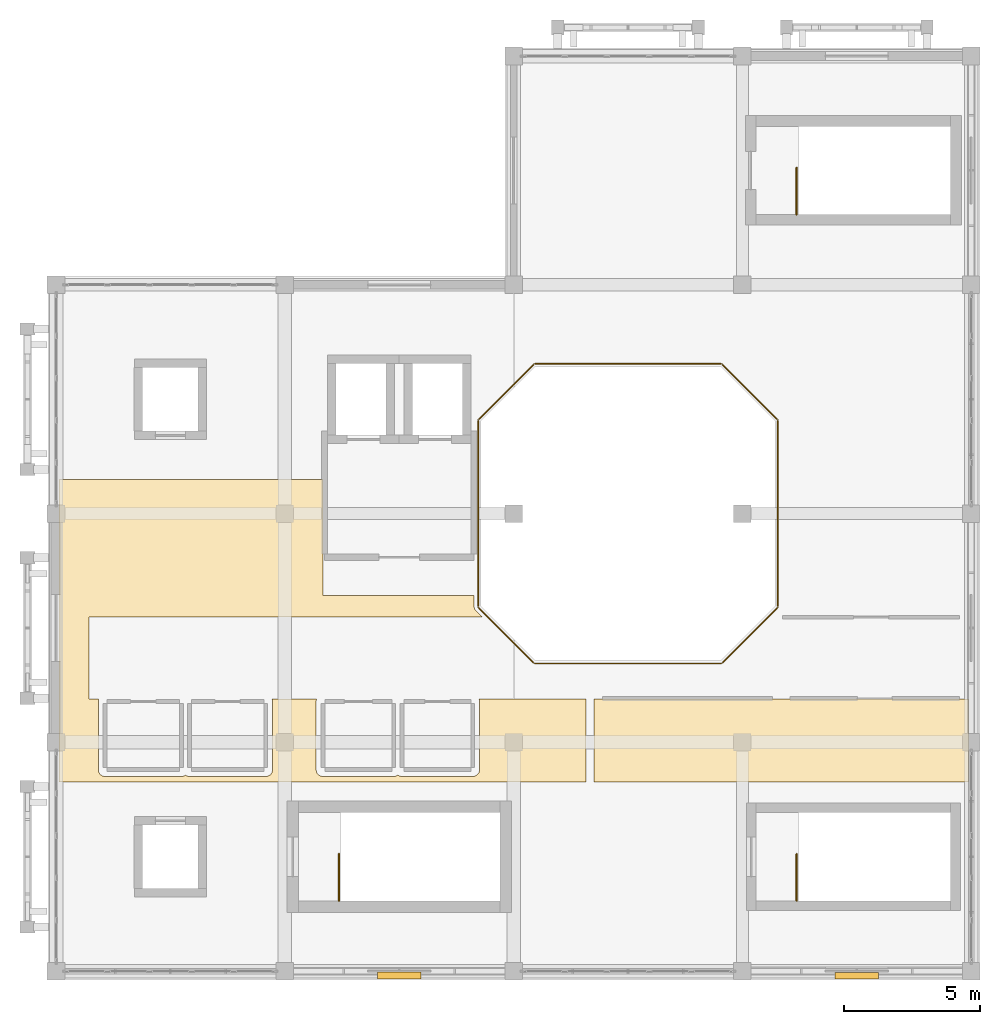
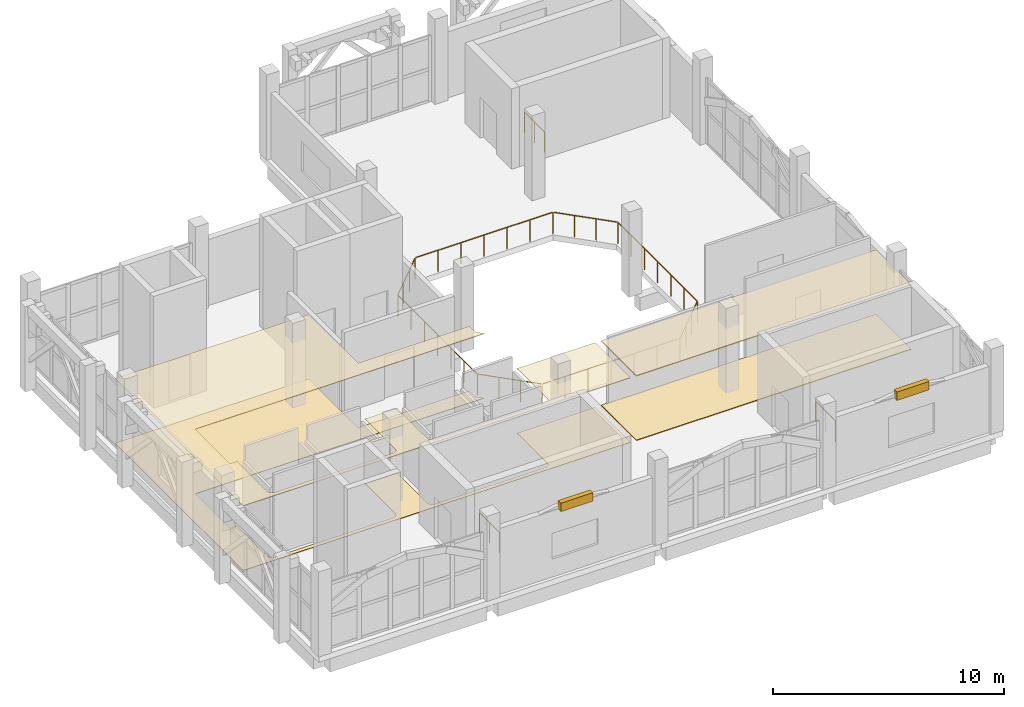
# One storey, part 16 of 16: 4 coverings, 4 railings, 2 shading devices.
"""IFC4 building model written with IfcOpenShell, lengths in metres."""

from ifc_helpers import new_model, si_unit, direction, frame, origin, origin_2d, place, context, subcontext, project, spatial, polyline, rectangle, circle, outline, extrude, material, layer, layer_set, type_object, element, save


model = new_model("IFC4")

# Units and contexts
model_context = context("Model", 3, precision=1e-05, world=origin(), true_north=direction((0.0, 1.0)))
body_context = subcontext(model_context, "Body", "Model", "MODEL_VIEW")
ifc_project = project(units=[si_unit("LENGTHUNIT", "METRE"), si_unit("AREAUNIT", "SQUARE_METRE"), si_unit("VOLUMEUNIT", "CUBIC_METRE"), si_unit("PLANEANGLEUNIT", "RADIAN"), si_unit("MASSUNIT", "GRAM", prefix="KILO")], contexts=[model_context])

# Site, building, storey
site_placement = place(None, origin())
site = spatial("IfcSite", under=ifc_project, at=site_placement, CompositionType="ELEMENT")
building_placement = place(site_placement, origin())
building = spatial("IfcBuilding", under=site, at=building_placement, Name="Xazarin Passage Department Store", CompositionType="ELEMENT")
storey_placement = place(building_placement, frame((0.0, 0.0, 32.39990234375)))
storey = spatial("IfcBuildingStorey", under=building, at=storey_placement, Name="L07", CompositionType="ELEMENT", Elevation=32.39990234375)

# Coverings
ifc_material_1 = material(Name="Acoustic mineral ceiling")
ifc_layer_1 = layer(ifc_material_1, 0.030029296875)
ifc_layer_set_1 = layer_set([ifc_layer_1], Name="Acoustic mineral ceiling")
covering_type_1 = type_object("IfcCoveringType", Name="ARC-COV-CLG030", PredefinedType="CEILING", material=ifc_layer_set_1)
covering_1_placement = place(storey_placement, frame((0.0, 0.0, 3.41015625)))
element("IfcCovering", 1, at=covering_1_placement, inside=storey, type_object=covering_type_1, Name="L07 Cafe and Patisserie Acoustic Ceiling", PredefinedType="CEILING", context=body_context, shape_type="SweptSolid", body=[
    extrude(outline(polyline([(9.800048828125, 90.199951171875), (9.800048828125, 94.449951171875), (0.10009765625, 94.449951171875), (0.10009765625, 83.35009765625), (19.449951171875, 83.35009765625), (19.449951171875, 86.39990234375), (15.52880859375, 86.39990234375), (15.531005859375, 86.395751953125), (15.539306640625, 86.37255859375), (15.545166015625, 86.348876953125), (15.548828125, 86.324462890625), (15.550048828125, 86.300048828125), (15.550048828125, 83.800048828125), (15.548828125, 83.775390625), (15.545166015625, 83.751220703125), (15.539306640625, 83.727294921875), (15.531005859375, 83.704345703125), (15.5205078125, 83.68212890625), (15.5078125, 83.6611328125), (15.493408203125, 83.641357421875), (15.476806640625, 83.623291015625), (15.45849609375, 83.606689453125), (15.43896484375, 83.592041015625), (15.417724609375, 83.57958984375), (15.395751953125, 83.569091796875), (15.37255859375, 83.560791015625), (15.348876953125, 83.5546875), (15.324462890625, 83.55126953125), (15.300048828125, 83.550048828125), (12.699951171875, 83.550048828125), (12.675537109375, 83.55126953125), (12.651123046875, 83.5546875), (12.62744140625, 83.560791015625), (12.604248046875, 83.569091796875), (12.582275390625, 83.57958984375), (12.56103515625, 83.592041015625), (12.550048828125, 83.600341796875), (12.538818359375, 83.592041015625), (12.517822265625, 83.57958984375), (12.49560546875, 83.569091796875), (12.47265625, 83.560791015625), (12.44873046875, 83.5546875), (12.424560546875, 83.55126953125), (12.39990234375, 83.550048828125), (9.800048828125, 83.550048828125), (9.775390625, 83.55126953125), (9.751220703125, 83.5546875), (9.727294921875, 83.560791015625), (9.704345703125, 83.569091796875), (9.68212890625, 83.57958984375), (9.6611328125, 83.592041015625), (9.641357421875, 83.606689453125), (9.623291015625, 83.623291015625), (9.606689453125, 83.641357421875), (9.592041015625, 83.6611328125), (9.57958984375, 83.68212890625), (9.569091796875, 83.704345703125), (9.560791015625, 83.727294921875), (9.5546875, 83.751220703125), (9.55126953125, 83.775390625), (9.550048828125, 83.800048828125), (9.550048828125, 86.300048828125), (9.55126953125, 86.324462890625), (9.5546875, 86.348876953125), (9.560791015625, 86.37255859375), (9.569091796875, 86.395751953125), (9.571044921875, 86.39990234375), (7.928955078125, 86.39990234375), (7.930908203125, 86.395751953125), (7.939208984375, 86.37255859375), (7.9453125, 86.348876953125), (7.94873046875, 86.324462890625), (7.949951171875, 86.300048828125), (7.949951171875, 83.800048828125), (7.94873046875, 83.775390625), (7.9453125, 83.751220703125), (7.939208984375, 83.727294921875), (7.930908203125, 83.704345703125), (7.92041015625, 83.68212890625), (7.907958984375, 83.6611328125), (7.893310546875, 83.641357421875), (7.876708984375, 83.623291015625), (7.858642578125, 83.606689453125), (7.8388671875, 83.592041015625), (7.81787109375, 83.57958984375), (7.795654296875, 83.569091796875), (7.772705078125, 83.560791015625), (7.748779296875, 83.5546875), (7.724609375, 83.55126953125), (7.699951171875, 83.550048828125), (4.89990234375, 83.550048828125), (4.87548828125, 83.55126953125), (4.851318359375, 83.5546875), (4.827392578125, 83.560791015625), (4.80419921875, 83.569091796875), (4.7822265625, 83.57958984375), (4.760986328125, 83.592041015625), (4.75, 83.600341796875), (4.739013671875, 83.592041015625), (4.7177734375, 83.57958984375), (4.69580078125, 83.569091796875), (4.672607421875, 83.560791015625), (4.648681640625, 83.5546875), (4.62451171875, 83.55126953125), (4.60009765625, 83.550048828125), (1.800048828125, 83.550048828125), (1.775390625, 83.55126953125), (1.751220703125, 83.5546875), (1.727294921875, 83.560791015625), (1.704345703125, 83.569091796875), (1.68212890625, 83.57958984375), (1.6611328125, 83.592041015625), (1.641357421875, 83.606689453125), (1.623291015625, 83.623291015625), (1.606689453125, 83.641357421875), (1.592041015625, 83.6611328125), (1.57958984375, 83.68212890625), (1.569091796875, 83.704345703125), (1.560791015625, 83.727294921875), (1.5546875, 83.751220703125), (1.55126953125, 83.775390625), (1.550048828125, 83.800048828125), (1.550048828125, 86.300048828125), (1.55126953125, 86.324462890625), (1.5546875, 86.348876953125), (1.560791015625, 86.37255859375), (1.569091796875, 86.395751953125), (1.571044921875, 86.39990234375), (1.199951171875, 86.39990234375), (1.199951171875, 89.39990234375), (15.646484375, 89.39990234375), (15.423095703125, 89.623291015625), (15.40673828125, 89.641357421875), (15.39208984375, 89.6611328125), (15.37939453125, 89.68212890625), (15.368896484375, 89.704345703125), (15.36083984375, 89.727294921875), (15.354736328125, 89.751220703125), (15.351318359375, 89.775390625), (15.35009765625, 89.800048828125), (15.35009765625, 90.199951171875), (9.800048828125, 90.199951171875)])), origin(), (0.0, 0.0, 1.0), 0.030029296875),
])
ifc_layer_2 = layer(ifc_material_1, 0.0400390625)
ifc_layer_set_2 = layer_set([ifc_layer_2], Name="Acoustic mineral ceiling")
covering_type_2 = type_object("IfcCoveringType", Name="ARC-COV-CLG040", PredefinedType="CEILING", material=ifc_layer_set_2)
covering_2_placement = place(storey_placement, frame((0.0, 0.0, 3.400146484375)))
element("IfcCovering", 2, at=covering_2_placement, inside=storey, type_object=covering_type_2, Name="L07 Panorama Dining Salon Acoustic Ceiling", PredefinedType="CEILING", context=body_context, shape_type="SweptSolid", body=[
    extrude(outline(polyline([(33.5, 86.39990234375), (19.75, 86.39990234375), (19.75, 83.35009765625), (33.5, 83.35009765625), (33.5, 86.39990234375)])), origin(), (0.0, 0.0, 1.0), 0.0400390625),
])
ifc_material_2 = material(Name="Terrazzo stone flooring", Category="masonry")
ifc_layer_3 = layer(ifc_material_2, 0.02490234375)
ifc_layer_set_3 = layer_set([ifc_layer_3], Name="Terrazzo stone flooring")
covering_type_3 = type_object("IfcCoveringType", Name="ARC-COV-FLR025", PredefinedType="FLOORING", material=ifc_layer_set_3)
covering_3_placement = place(storey_placement, origin())
element("IfcCovering", 3, at=covering_3_placement, inside=storey, type_object=covering_type_3, Name="L07 Cafe and Patisserie Terrazzo Flooring", PredefinedType="FLOORING", context=body_context, shape_type="SweptSolid", body=[
    extrude(outline(polyline([(9.800048828125, 90.199951171875), (9.800048828125, 94.449951171875), (0.10009765625, 94.449951171875), (0.10009765625, 83.35009765625), (19.449951171875, 83.35009765625), (19.449951171875, 86.39990234375), (15.52880859375, 86.39990234375), (15.531005859375, 86.395751953125), (15.539306640625, 86.37255859375), (15.545166015625, 86.348876953125), (15.548828125, 86.324462890625), (15.550048828125, 86.300048828125), (15.550048828125, 83.800048828125), (15.548828125, 83.775390625), (15.545166015625, 83.751220703125), (15.539306640625, 83.727294921875), (15.531005859375, 83.704345703125), (15.5205078125, 83.68212890625), (15.5078125, 83.6611328125), (15.493408203125, 83.641357421875), (15.476806640625, 83.623291015625), (15.45849609375, 83.606689453125), (15.43896484375, 83.592041015625), (15.417724609375, 83.57958984375), (15.395751953125, 83.569091796875), (15.37255859375, 83.560791015625), (15.348876953125, 83.5546875), (15.324462890625, 83.55126953125), (15.300048828125, 83.550048828125), (12.699951171875, 83.550048828125), (12.675537109375, 83.55126953125), (12.651123046875, 83.5546875), (12.62744140625, 83.560791015625), (12.604248046875, 83.569091796875), (12.582275390625, 83.57958984375), (12.56103515625, 83.592041015625), (12.550048828125, 83.600341796875), (12.538818359375, 83.592041015625), (12.517822265625, 83.57958984375), (12.49560546875, 83.569091796875), (12.47265625, 83.560791015625), (12.44873046875, 83.5546875), (12.424560546875, 83.55126953125), (12.39990234375, 83.550048828125), (9.800048828125, 83.550048828125), (9.775390625, 83.55126953125), (9.751220703125, 83.5546875), (9.727294921875, 83.560791015625), (9.704345703125, 83.569091796875), (9.68212890625, 83.57958984375), (9.6611328125, 83.592041015625), (9.641357421875, 83.606689453125), (9.623291015625, 83.623291015625), (9.606689453125, 83.641357421875), (9.592041015625, 83.6611328125), (9.57958984375, 83.68212890625), (9.569091796875, 83.704345703125), (9.560791015625, 83.727294921875), (9.5546875, 83.751220703125), (9.55126953125, 83.775390625), (9.550048828125, 83.800048828125), (9.550048828125, 86.300048828125), (9.55126953125, 86.324462890625), (9.5546875, 86.348876953125), (9.560791015625, 86.37255859375), (9.569091796875, 86.395751953125), (9.571044921875, 86.39990234375), (7.928955078125, 86.39990234375), (7.930908203125, 86.395751953125), (7.939208984375, 86.37255859375), (7.9453125, 86.348876953125), (7.94873046875, 86.324462890625), (7.949951171875, 86.300048828125), (7.949951171875, 83.800048828125), (7.94873046875, 83.775390625), (7.9453125, 83.751220703125), (7.939208984375, 83.727294921875), (7.930908203125, 83.704345703125), (7.92041015625, 83.68212890625), (7.907958984375, 83.6611328125), (7.893310546875, 83.641357421875), (7.876708984375, 83.623291015625), (7.858642578125, 83.606689453125), (7.8388671875, 83.592041015625), (7.81787109375, 83.57958984375), (7.795654296875, 83.569091796875), (7.772705078125, 83.560791015625), (7.748779296875, 83.5546875), (7.724609375, 83.55126953125), (7.699951171875, 83.550048828125), (4.89990234375, 83.550048828125), (4.87548828125, 83.55126953125), (4.851318359375, 83.5546875), (4.827392578125, 83.560791015625), (4.80419921875, 83.569091796875), (4.7822265625, 83.57958984375), (4.760986328125, 83.592041015625), (4.75, 83.600341796875), (4.739013671875, 83.592041015625), (4.7177734375, 83.57958984375), (4.69580078125, 83.569091796875), (4.672607421875, 83.560791015625), (4.648681640625, 83.5546875), (4.62451171875, 83.55126953125), (4.60009765625, 83.550048828125), (1.800048828125, 83.550048828125), (1.775390625, 83.55126953125), (1.751220703125, 83.5546875), (1.727294921875, 83.560791015625), (1.704345703125, 83.569091796875), (1.68212890625, 83.57958984375), (1.6611328125, 83.592041015625), (1.641357421875, 83.606689453125), (1.623291015625, 83.623291015625), (1.606689453125, 83.641357421875), (1.592041015625, 83.6611328125), (1.57958984375, 83.68212890625), (1.569091796875, 83.704345703125), (1.560791015625, 83.727294921875), (1.5546875, 83.751220703125), (1.55126953125, 83.775390625), (1.550048828125, 83.800048828125), (1.550048828125, 86.300048828125), (1.55126953125, 86.324462890625), (1.5546875, 86.348876953125), (1.560791015625, 86.37255859375), (1.569091796875, 86.395751953125), (1.571044921875, 86.39990234375), (1.199951171875, 86.39990234375), (1.199951171875, 89.39990234375), (15.646484375, 89.39990234375), (15.423095703125, 89.623291015625), (15.40673828125, 89.641357421875), (15.39208984375, 89.6611328125), (15.37939453125, 89.68212890625), (15.368896484375, 89.704345703125), (15.36083984375, 89.727294921875), (15.354736328125, 89.751220703125), (15.351318359375, 89.775390625), (15.35009765625, 89.800048828125), (15.35009765625, 90.199951171875), (9.800048828125, 90.199951171875)])), origin(), (0.0, 0.0, 1.0), 0.025146484375),
])
ifc_layer_4 = layer(ifc_material_2, 0.034912109375)
ifc_layer_set_4 = layer_set([ifc_layer_4], Name="Terrazzo stone flooring")
covering_type_4 = type_object("IfcCoveringType", Name="ARC-COV-FLR035", PredefinedType="FLOORING", material=ifc_layer_set_4)
covering_4_placement = place(storey_placement, origin())
element("IfcCovering", 4, at=covering_4_placement, inside=storey, type_object=covering_type_4, Name="L07 Panorama Dining Salon Terrazzo Flooring", PredefinedType="FLOORING", context=body_context, shape_type="SweptSolid", body=[
    extrude(outline(polyline([(33.5, 86.39990234375), (19.75, 86.39990234375), (19.75, 83.35009765625), (33.5, 83.35009765625), (33.5, 86.39990234375)])), origin(), (0.0, 0.0, 1.0), 0.03515625),
])

# Railings
ifc_material_3 = material(Name="Low-E laminated safety glass", Category="glass")
railing_type_1 = type_object("IfcRailingType", Name="ARC-RL-BAL115", PredefinedType="BALUSTRADE", material=ifc_material_3)
railing_placement = place(storey_placement, frame((15.5, 96.641357421875, 0.0)))
element("IfcRailing", 5, at=railing_placement, inside=storey, type_object=railing_type_1, Name="L07 Void Edge Balustrade 0018", PredefinedType="BALUSTRADE", context=body_context, shape_type="SweptSolid", body=[
    extrude(circle(Radius=0.02392578125, at=origin_2d()), frame((0.0, -0.03125, 1.1259765625), z_axis=(0.0, -1.0, 0.0), x_axis=(1.0, 0.0, 0.0)), (0.0, 0.0, 1.0), 6.8203125),
    extrude(circle(Radius=0.02392578125, at=origin_2d()), frame((0.022216796875, -6.905029296875, 1.1259765625), z_axis=(0.707106781187, -0.707106781187, 0.0), x_axis=(0.707106781187, 0.707106781187, 0.0)), (0.0, 0.0, 1.0), 2.848876953125),
    extrude(circle(Radius=0.02392578125, at=origin_2d()), frame((2.08984375, -8.94140625, 1.1259765625), z_axis=(1.0, 0.0, 0.0), x_axis=(0.0, 1.0, 0.0)), (0.0, 0.0, 1.0), 6.8203125),
    extrude(circle(Radius=0.02392578125, at=origin_2d()), frame((8.963623046875, -8.919189453125, 1.1259765625), z_axis=(0.707106781187, 0.707106781187, 0.0), x_axis=(-0.707106781187, 0.707106781187, 0.0)), (0.0, 0.0, 1.0), 2.848876953125),
    extrude(circle(Radius=0.02392578125, at=origin_2d()), frame((11.0, -6.8515625, 1.1259765625), z_axis=(0.0, 1.0, 0.0), x_axis=(-1.0, 0.0, 0.0)), (0.0, 0.0, 1.0), 6.8203125),
    extrude(circle(Radius=0.02392578125, at=origin_2d()), frame((10.977783203125, 0.022216796875, 1.1259765625), z_axis=(-0.707106781187, 0.707106781187, 0.0), x_axis=(-0.707106781187, -0.707106781187, 0.0)), (0.0, 0.0, 1.0), 2.848876953125),
    extrude(circle(Radius=0.02392578125, at=origin_2d()), frame((8.91015625, 2.05859375, 1.1259765625), z_axis=(-1.0, 0.0, 0.0), x_axis=(0.0, -1.0, 0.0)), (0.0, 0.0, 1.0), 6.8203125),
    extrude(circle(Radius=0.02392578125, at=origin_2d()), frame((2.036376953125, 2.036376953125, 1.1259765625), z_axis=(-0.707106781187, -0.707106781187, 0.0), x_axis=(0.707106781187, -0.707106781187, 0.0)), (0.0, 0.0, 1.0), 2.848876953125),
    extrude(circle(Radius=0.02099609375, at=origin_2d()), origin(), (0.0, 0.0, 1.0), 1.1015625),
    extrude(circle(Radius=0.02099609375, at=origin_2d()), frame((0.0, -1.147216796875, 0.0)), (0.0, 0.0, 1.0), 1.1015625),
    extrude(circle(Radius=0.02099609375, at=origin_2d()), frame((0.0, -2.294189453125, 0.0)), (0.0, 0.0, 1.0), 1.1015625),
    extrude(circle(Radius=0.02099609375, at=origin_2d()), frame((0.0, -3.44140625, 0.0)), (0.0, 0.0, 1.0), 1.1015625),
    extrude(circle(Radius=0.02099609375, at=origin_2d()), frame((0.0, -4.588623046875, 0.0)), (0.0, 0.0, 1.0), 1.1015625),
    extrude(circle(Radius=0.02099609375, at=origin_2d()), frame((0.0, -5.735595703125, 0.0)), (0.0, 0.0, 1.0), 1.1015625),
    extrude(circle(Radius=0.02099609375, at=origin_2d()), frame((0.0, -6.8828125, 0.0)), (0.0, 0.0, 1.0), 1.1015625),
    extrude(circle(Radius=0.02099609375, at=origin_2d()), frame((0.686279296875, -7.569091796875, 0.0)), (0.0, 0.0, 1.0), 1.1015625),
    extrude(circle(Radius=0.02099609375, at=origin_2d()), frame((1.372314453125, -8.255126953125, 0.0)), (0.0, 0.0, 1.0), 1.1015625),
    extrude(circle(Radius=0.02099609375, at=origin_2d()), frame((2.05859375, -8.94140625, 0.0)), (0.0, 0.0, 1.0), 1.1015625),
    extrude(circle(Radius=0.02099609375, at=origin_2d()), frame((3.205810546875, -8.94140625, 0.0)), (0.0, 0.0, 1.0), 1.1015625),
    extrude(circle(Radius=0.02099609375, at=origin_2d()), frame((4.352783203125, -8.94140625, 0.0)), (0.0, 0.0, 1.0), 1.1015625),
    extrude(circle(Radius=0.02099609375, at=origin_2d()), frame((5.5, -8.94140625, 0.0)), (0.0, 0.0, 1.0), 1.1015625),
    extrude(circle(Radius=0.02099609375, at=origin_2d()), frame((6.647216796875, -8.94140625, 0.0)), (0.0, 0.0, 1.0), 1.1015625),
    extrude(circle(Radius=0.02099609375, at=origin_2d()), frame((7.794189453125, -8.94140625, 0.0)), (0.0, 0.0, 1.0), 1.1015625),
    extrude(circle(Radius=0.02099609375, at=origin_2d()), frame((8.94140625, -8.94140625, 0.0)), (0.0, 0.0, 1.0), 1.1015625),
    extrude(circle(Radius=0.02099609375, at=origin_2d()), frame((9.627685546875, -8.255126953125, 0.0)), (0.0, 0.0, 1.0), 1.1015625),
    extrude(circle(Radius=0.02099609375, at=origin_2d()), frame((10.313720703125, -7.569091796875, 0.0)), (0.0, 0.0, 1.0), 1.1015625),
    extrude(circle(Radius=0.02099609375, at=origin_2d()), frame((11.0, -6.8828125, 0.0)), (0.0, 0.0, 1.0), 1.1015625),
    extrude(circle(Radius=0.02099609375, at=origin_2d()), frame((11.0, -5.735595703125, 0.0)), (0.0, 0.0, 1.0), 1.1015625),
    extrude(circle(Radius=0.02099609375, at=origin_2d()), frame((11.0, -4.588623046875, 0.0)), (0.0, 0.0, 1.0), 1.1015625),
    extrude(circle(Radius=0.02099609375, at=origin_2d()), frame((11.0, -3.44140625, 0.0)), (0.0, 0.0, 1.0), 1.1015625),
    extrude(circle(Radius=0.02099609375, at=origin_2d()), frame((11.0, -2.294189453125, 0.0)), (0.0, 0.0, 1.0), 1.1015625),
    extrude(circle(Radius=0.02099609375, at=origin_2d()), frame((11.0, -1.147216796875, 0.0)), (0.0, 0.0, 1.0), 1.1015625),
    extrude(circle(Radius=0.02099609375, at=origin_2d()), frame((11.0, 0.0, 0.0)), (0.0, 0.0, 1.0), 1.1015625),
    extrude(circle(Radius=0.02099609375, at=origin_2d()), frame((10.313720703125, 0.686279296875, 0.0)), (0.0, 0.0, 1.0), 1.1015625),
    extrude(circle(Radius=0.02099609375, at=origin_2d()), frame((9.627685546875, 1.372314453125, 0.0)), (0.0, 0.0, 1.0), 1.1015625),
    extrude(circle(Radius=0.02099609375, at=origin_2d()), frame((8.94140625, 2.05859375, 0.0)), (0.0, 0.0, 1.0), 1.1015625),
    extrude(circle(Radius=0.02099609375, at=origin_2d()), frame((7.794189453125, 2.05859375, 0.0)), (0.0, 0.0, 1.0), 1.1015625),
    extrude(circle(Radius=0.02099609375, at=origin_2d()), frame((6.647216796875, 2.05859375, 0.0)), (0.0, 0.0, 1.0), 1.1015625),
    extrude(circle(Radius=0.02099609375, at=origin_2d()), frame((5.5, 2.05859375, 0.0)), (0.0, 0.0, 1.0), 1.1015625),
    extrude(circle(Radius=0.02099609375, at=origin_2d()), frame((4.352783203125, 2.05859375, 0.0)), (0.0, 0.0, 1.0), 1.1015625),
    extrude(circle(Radius=0.02099609375, at=origin_2d()), frame((3.205810546875, 2.05859375, 0.0)), (0.0, 0.0, 1.0), 1.1015625),
    extrude(circle(Radius=0.02099609375, at=origin_2d()), frame((2.05859375, 2.05859375, 0.0)), (0.0, 0.0, 1.0), 1.1015625),
    extrude(circle(Radius=0.02099609375, at=origin_2d()), frame((1.372314453125, 1.372314453125, 0.0)), (0.0, 0.0, 1.0), 1.1015625),
    extrude(circle(Radius=0.02099609375, at=origin_2d()), frame((0.686279296875, 0.686279296875, 0.0)), (0.0, 0.0, 1.0), 1.1015625),
])
ifc_material_4 = material(Name="Steel S355", Category="steel")
railing_type_2 = type_object("IfcRailingType", Name="ARC-RL-GRD112", PredefinedType="GUARDRAIL", material=ifc_material_4)
for number, where, name in (
    (6, (10.389892578125, 78.97998046875, 0.0), "L07 ST1 top well guard 1"),
    (7, (27.18994140625, 104.179931640625, 0.0), "L07 ST2 top well guard 1"),
    (8, (27.18994140625, 78.97998046875, 0.0), "L07 ST3 top well guard 1"),
):
    element("IfcRailing", number, at=place(storey_placement, frame(where)), inside=storey, type_object=railing_type_2, Name=name, PredefinedType="GUARDRAIL", context=body_context, shape_type="SweptSolid", body=[
        extrude(circle(Radius=0.02392578125, at=origin_2d()), frame((0.0, 0.0, 1.076171875), z_axis=(0.0, 1.0, 0.0), x_axis=(-1.0, 0.0, 0.0)), (0.0, 0.0, 1.0), 1.719970703125),
        extrude(circle(Radius=0.02099609375, at=origin_2d()), origin(), (0.0, 0.0, 1.0), 1.0517578125),
        extrude(circle(Radius=0.02099609375, at=origin_2d()), frame((0.0, 0.85986328125, 0.0)), (0.0, 0.0, 1.0), 1.0517578125),
        extrude(circle(Radius=0.02099609375, at=origin_2d()), frame((0.0, 1.719970703125, 0.0)), (0.0, 0.0, 1.0), 1.0517578125),
    ])

# Shading devices
ifc_material_5 = material(Name="Bronze anodised aluminium", Category="aluminium")
ifc_layer_5 = layer(ifc_material_5, 0.080078125)
ifc_layer_set_5 = layer_set([ifc_layer_5], Name="Bronze anodised aluminium")
shading_device_type = type_object("IfcShadingDeviceType", Name="ARC-SHD-LVR", PredefinedType="JALOUSIE", material=ifc_layer_set_5)
for number, where, z_axis, x_axis, name in (
    (9, (12.60009765625, 76.239990234375, 3.4150390625), (0.0, 0.0, 1.0), (1.0, 0.0, 0.0), "L07 V1 Sun Shading Louvre 09"),
    (10, (29.39990234375, 76.22998046875, 3.4150390625), (0.0, 0.0, 1.0), (1.0, 0.0, 0.0), "L07 V1 Sun Shading Louvre 10"),
):
    element("IfcShadingDevice", number, at=place(storey_placement, frame(where, z_axis=z_axis, x_axis=x_axis)), inside=storey, type_object=shading_device_type, Name=name, PredefinedType="JALOUSIE", context=body_context, shape_type="SweptSolid", body=[
        extrude(rectangle(XDim=1.60009765625, YDim=0.239990234375, at=origin_2d()), origin(), (0.0, 0.0, 1.0), 0.449951171875),
    ])

save(model, "model.ifc")
